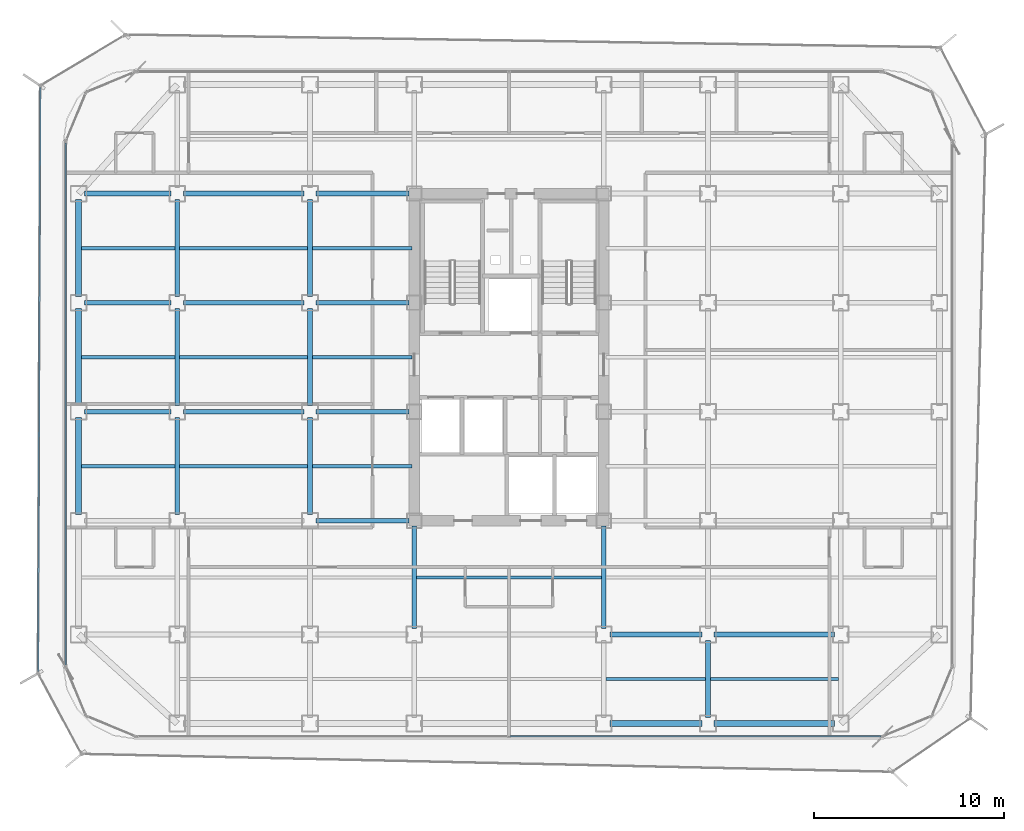
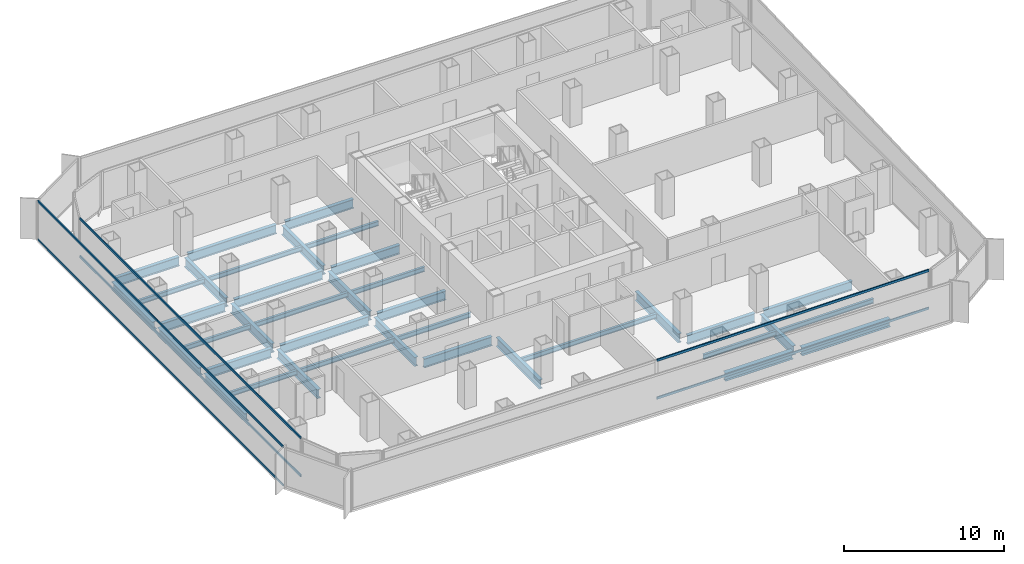
# One storey, part 5 of 21: 38 beams, 6 members, 3 elements without a shape of their own.
"""IFC4 building model written with IfcOpenShell, lengths in metres."""

from ifc_helpers import new_model, si_unit, direction, frame, origin, origin_2d, place, context, subcontext, project, spatial, hollow_rectangle, i_section, extrude, source, transform, mapped, material, layer, layer_set, material_profile, profile_set, type_object, element, aggregate, save


model = new_model("IFC4")

# Units and contexts
model_context = context("Model", 3, precision=1e-05, world=origin(), true_north=direction((0.0, 1.0)))
body_context = subcontext(model_context, "Body", "Model", "MODEL_VIEW")
ifc_project = project(units=[si_unit("LENGTHUNIT", "METRE"), si_unit("AREAUNIT", "SQUARE_METRE"), si_unit("VOLUMEUNIT", "CUBIC_METRE"), si_unit("PLANEANGLEUNIT", "RADIAN"), si_unit("MASSUNIT", "GRAM", prefix="KILO")], contexts=[model_context])

# Site, building, storey
site_placement = place(None, origin())
site = spatial("IfcSite", under=ifc_project, at=site_placement, CompositionType="ELEMENT")
building_placement = place(site_placement, origin())
building = spatial("IfcBuilding", under=site, at=building_placement, Name="Kolveth Station Tower", CompositionType="ELEMENT")
storey_placement = place(building_placement, frame((0.0, 0.0, 134.300048828125)))
storey = spatial("IfcBuildingStorey", under=building, at=storey_placement, Name="L37", CompositionType="ELEMENT", Elevation=134.300048828125)

# Beams
ifc_material_1 = material(Name="Steel S355", Category="steel")
ifc_material_profile_1 = material_profile(ifc_material_1, i_section(OverallWidth=0.323974609375, OverallDepth=0.611083984375, WebThickness=0.0126953125, FlangeThickness=0.01904296875, at=origin_2d()), Name="W610x155")
ifc_profile_set_1 = profile_set([ifc_material_profile_1], Name="Steel S355")
beam_type_1 = type_object("IfcBeamType", Name="Beam_SP2", PredefinedType="SPANDREL", material=ifc_profile_set_1)
shared_shape_1 = source(origin(), body_context, "Body", "SweptSolid", [
    extrude(i_section(OverallWidth=0.323974609375, OverallDepth=0.611083984375, WebThickness=0.0126953125, FlangeThickness=0.01904296875, at=origin_2d()), origin(), (0.0, 0.0, 1.0), 6.35986328125),
])
beam_1_placement = place(storey_placement, frame((34.320068359375, 0.800048828125, -0.5556640625), z_axis=(1.0, 0.0, 0.0), x_axis=(0.0, 1.0, 0.0)))
element("IfcBeam", 1, at=beam_1_placement, inside=storey, type_object=beam_type_1, Name="L37 Perimeter Spandrel BM-L37-PS-5", PredefinedType="SPANDREL", context=body_context, shape_type="MappedRepresentation", body=[
    mapped(shared_shape_1, transform((0.0, 0.0, 0.0), x_axis=(1.0, 0.0, 0.0), y_axis=(0.0, 1.0, 0.0), z_axis=(0.0, 0.0, 1.0), scale=1.0)),
])
shared_shape_2 = source(origin(), body_context, "Body", "SweptSolid", [
    extrude(i_section(OverallWidth=0.323974609375, OverallDepth=0.611083984375, WebThickness=0.0126953125, FlangeThickness=0.01904296875, at=origin_2d()), origin(), (0.0, 0.0, 1.0), 4.85986328125),
])
beam_2_placement = place(storey_placement, frame((28.820068359375, 0.800048828125, -0.5556640625), z_axis=(1.0, 0.0, 0.0), x_axis=(0.0, 1.0, 0.0)))
element("IfcBeam", 2, at=beam_2_placement, inside=storey, type_object=beam_type_1, Name="L37 Perimeter Spandrel BM-L37-PS-4", PredefinedType="SPANDREL", context=body_context, shape_type="MappedRepresentation", body=[
    mapped(shared_shape_2, transform((0.0, 0.0, 0.0), x_axis=(1.0, 0.0, 0.0), y_axis=(0.0, 1.0, 0.0), z_axis=(0.0, 0.0, 1.0), scale=1.0)),
])
shared_shape_3 = source(origin(), body_context, "Body", "SweptSolid", [
    extrude(i_section(OverallWidth=0.323974609375, OverallDepth=0.611083984375, WebThickness=0.0126953125, FlangeThickness=0.01904296875, at=origin_2d()), origin(), (0.0, 0.0, 1.0), 5.10986328125),
])
for number, where, z_axis, x_axis, name in (
    (3, (0.800048828125, 11.820068359375, -0.5556640625), (0.0, 1.0, 0.0), (-1.0, 0.0, 0.0), "L37 Perimeter Spandrel BM-L37-PW-2"),
    (4, (0.800048828125, 17.570068359375, -0.5556640625), (0.0, 1.0, 0.0), (-1.0, 0.0, 0.0), "L37 Perimeter Spandrel BM-L37-PW-3"),
    (5, (0.800048828125, 23.320068359375, -0.5556640625), (0.0, 1.0, 0.0), (-1.0, 0.0, 0.0), "L37 Perimeter Spandrel BM-L37-PW-4"),
):
    element("IfcBeam", number, at=place(storey_placement, frame(where, z_axis=z_axis, x_axis=x_axis)), inside=storey, type_object=beam_type_1, Name=name, PredefinedType="SPANDREL", context=body_context, shape_type="MappedRepresentation", body=[
        mapped(shared_shape_3, transform((0.0, 0.0, 0.0), x_axis=(1.0, 0.0, 0.0), y_axis=(0.0, 1.0, 0.0), z_axis=(0.0, 0.0, 1.0), scale=1.0)),
    ])
ifc_material_profile_2 = material_profile(ifc_material_1, i_section(OverallWidth=0.25390625, OverallDepth=0.68798828125, WebThickness=0.01318359375, FlangeThickness=0.02099609375, at=origin_2d()), Name="W690x152")
ifc_profile_set_2 = profile_set([ifc_material_profile_2], Name="Steel S355")
beam_type_2 = type_object("IfcBeamType", Name="Beam_B4", PredefinedType="BEAM", material=ifc_profile_set_2)
shared_shape_4 = source(origin(), body_context, "Body", "SweptSolid", [
    extrude(i_section(OverallWidth=0.25390625, OverallDepth=0.68798828125, WebThickness=0.01318359375, FlangeThickness=0.02099609375, at=origin_2d()), origin(), (0.0, 0.0, 1.0), 4.559814453125),
])
for number, where, z_axis, x_axis, name in (
    (6, (1.1201171875, 17.25, -0.593994140625), (1.0, 0.0, 0.0), (0.0, 1.0, 0.0), "L37 Primary Girder BM-L37-GY172-1"),
    (7, (1.1201171875, 23.0, -0.593994140625), (1.0, 0.0, 0.0), (0.0, 1.0, 0.0), "L37 Primary Girder BM-L37-GY230-1"),
    (8, (1.1201171875, 28.75, -0.593994140625), (1.0, 0.0, 0.0), (0.0, 1.0, 0.0), "L37 Primary Girder BM-L37-GY287-1"),
):
    element("IfcBeam", number, at=place(storey_placement, frame(where, z_axis=z_axis, x_axis=x_axis)), inside=storey, type_object=beam_type_2, Name=name, PredefinedType="BEAM", context=body_context, shape_type="MappedRepresentation", body=[
        mapped(shared_shape_4, transform((0.0, 0.0, 0.0), x_axis=(1.0, 0.0, 0.0), y_axis=(0.0, 1.0, 0.0), z_axis=(0.0, 0.0, 1.0), scale=1.0)),
    ])
shared_shape_5 = source(origin(), body_context, "Body", "SweptSolid", [
    extrude(i_section(OverallWidth=0.25390625, OverallDepth=0.68798828125, WebThickness=0.01318359375, FlangeThickness=0.02099609375, at=origin_2d()), origin(), (0.0, 0.0, 1.0), 6.35986328125),
])
for number, where, z_axis, x_axis, name in (
    (9, (34.320068359375, 5.5, -0.593994140625), (1.0, 0.0, 0.0), (0.0, 1.0, 0.0), "L37 Primary Girder BM-L37-GY55-6"),
    (10, (6.320068359375, 17.25, -0.593994140625), (1.0, 0.0, 0.0), (0.0, 1.0, 0.0), "L37 Primary Girder BM-L37-GY172-2"),
    (11, (6.320068359375, 23.0, -0.593994140625), (1.0, 0.0, 0.0), (0.0, 1.0, 0.0), "L37 Primary Girder BM-L37-GY230-2"),
    (12, (6.320068359375, 28.75, -0.593994140625), (1.0, 0.0, 0.0), (0.0, 1.0, 0.0), "L37 Primary Girder BM-L37-GY287-2"),
):
    element("IfcBeam", number, at=place(storey_placement, frame(where, z_axis=z_axis, x_axis=x_axis)), inside=storey, type_object=beam_type_2, Name=name, PredefinedType="BEAM", context=body_context, shape_type="MappedRepresentation", body=[
        mapped(shared_shape_5, transform((0.0, 0.0, 0.0), x_axis=(1.0, 0.0, 0.0), y_axis=(0.0, 1.0, 0.0), z_axis=(0.0, 0.0, 1.0), scale=1.0)),
    ])
shared_shape_6 = source(origin(), body_context, "Body", "SweptSolid", [
    extrude(i_section(OverallWidth=0.25390625, OverallDepth=0.68798828125, WebThickness=0.01318359375, FlangeThickness=0.02099609375, at=origin_2d()), origin(), (0.0, 0.0, 1.0), 4.85986328125),
])
beam_3_placement = place(storey_placement, frame((28.820068359375, 5.5, -0.593994140625), z_axis=(1.0, 0.0, 0.0), x_axis=(0.0, 1.0, 0.0)))
element("IfcBeam", 13, at=beam_3_placement, inside=storey, type_object=beam_type_2, Name="L37 Primary Girder BM-L37-GY55-5", PredefinedType="BEAM", context=body_context, shape_type="MappedRepresentation", body=[
    mapped(shared_shape_6, transform((0.0, 0.0, 0.0), x_axis=(1.0, 0.0, 0.0), y_axis=(0.0, 1.0, 0.0), z_axis=(0.0, 0.0, 1.0), scale=1.0)),
])
shared_shape_7 = source(origin(), body_context, "Body", "SweptSolid", [
    extrude(i_section(OverallWidth=0.25390625, OverallDepth=0.68798828125, WebThickness=0.01318359375, FlangeThickness=0.02099609375, at=origin_2d()), origin(), (0.0, 0.0, 1.0), 4.89990234375),
])
for number, where, z_axis, x_axis, name in (
    (14, (13.320068359375, 11.5, -0.593994140625), (1.0, 0.0, 0.0), (0.0, 1.0, 0.0), "L37 Primary Girder BM-L37-GY115-3"),
    (15, (13.320068359375, 17.25, -0.593994140625), (1.0, 0.0, 0.0), (0.0, 1.0, 0.0), "L37 Primary Girder BM-L37-GY172-3"),
    (16, (13.320068359375, 23.0, -0.593994140625), (1.0, 0.0, 0.0), (0.0, 1.0, 0.0), "L37 Primary Girder BM-L37-GY230-3"),
    (17, (13.320068359375, 28.75, -0.593994140625), (1.0, 0.0, 0.0), (0.0, 1.0, 0.0), "L37 Primary Girder BM-L37-GY287-3"),
):
    element("IfcBeam", number, at=place(storey_placement, frame(where, z_axis=z_axis, x_axis=x_axis)), inside=storey, type_object=beam_type_2, Name=name, PredefinedType="BEAM", context=body_context, shape_type="MappedRepresentation", body=[
        mapped(shared_shape_7, transform((0.0, 0.0, 0.0), x_axis=(1.0, 0.0, 0.0), y_axis=(0.0, 1.0, 0.0), z_axis=(0.0, 0.0, 1.0), scale=1.0)),
    ])
shared_shape_8 = source(origin(), body_context, "Body", "SweptSolid", [
    extrude(i_section(OverallWidth=0.25390625, OverallDepth=0.68798828125, WebThickness=0.01318359375, FlangeThickness=0.02099609375, at=origin_2d()), origin(), (0.0, 0.0, 1.0), 4.059814453125),
])
beam_4_placement = place(storey_placement, frame((34.0, 1.1201171875, -0.593994140625), z_axis=(0.0, 1.0, 0.0), x_axis=(-1.0, 0.0, 0.0)))
element("IfcBeam", 18, at=beam_4_placement, inside=storey, type_object=beam_type_2, Name="L37 Primary Girder BM-L37-GX340-1", PredefinedType="BEAM", context=body_context, shape_type="MappedRepresentation", body=[
    mapped(shared_shape_8, transform((0.0, 0.0, 0.0), x_axis=(1.0, 0.0, 0.0), y_axis=(0.0, 1.0, 0.0), z_axis=(0.0, 0.0, 1.0), scale=1.0)),
])
shared_shape_9 = source(origin(), body_context, "Body", "SweptSolid", [
    extrude(i_section(OverallWidth=0.25390625, OverallDepth=0.68798828125, WebThickness=0.01318359375, FlangeThickness=0.02099609375, at=origin_2d()), origin(), (0.0, 0.0, 1.0), 5.10986328125),
])
for number, where, z_axis, x_axis, name in (
    (19, (6.0, 11.820068359375, -0.593994140625), (0.0, 1.0, 0.0), (-1.0, 0.0, 0.0), "L37 Primary Girder BM-L37-GX60-3"),
    (20, (6.0, 17.570068359375, -0.593994140625), (0.0, 1.0, 0.0), (-1.0, 0.0, 0.0), "L37 Primary Girder BM-L37-GX60-4"),
    (21, (6.0, 23.320068359375, -0.593994140625), (0.0, 1.0, 0.0), (-1.0, 0.0, 0.0), "L37 Primary Girder BM-L37-GX60-5"),
    (22, (13.0, 11.820068359375, -0.593994140625), (0.0, 1.0, 0.0), (-1.0, 0.0, 0.0), "L37 Primary Girder BM-L37-GX130-3"),
    (23, (13.0, 17.570068359375, -0.593994140625), (0.0, 1.0, 0.0), (-1.0, 0.0, 0.0), "L37 Primary Girder BM-L37-GX130-4"),
    (24, (13.0, 23.320068359375, -0.593994140625), (0.0, 1.0, 0.0), (-1.0, 0.0, 0.0), "L37 Primary Girder BM-L37-GX130-5"),
):
    element("IfcBeam", number, at=place(storey_placement, frame(where, z_axis=z_axis, x_axis=x_axis)), inside=storey, type_object=beam_type_2, Name=name, PredefinedType="BEAM", context=body_context, shape_type="MappedRepresentation", body=[
        mapped(shared_shape_9, transform((0.0, 0.0, 0.0), x_axis=(1.0, 0.0, 0.0), y_axis=(0.0, 1.0, 0.0), z_axis=(0.0, 0.0, 1.0), scale=1.0)),
    ])
shared_shape_10 = source(origin(), body_context, "Body", "SweptSolid", [
    extrude(i_section(OverallWidth=0.25390625, OverallDepth=0.68798828125, WebThickness=0.01318359375, FlangeThickness=0.02099609375, at=origin_2d()), origin(), (0.0, 0.0, 1.0), 5.39990234375),
])
for number, where, z_axis, x_axis, name in (
    (25, (18.5, 5.820068359375, -0.593994140625), (0.0, 1.0, 0.0), (-1.0, 0.0, 0.0), "L37 Primary Girder BM-L37-GX185-2"),
    (26, (28.5, 5.820068359375, -0.593994140625), (0.0, 1.0, 0.0), (-1.0, 0.0, 0.0), "L37 Primary Girder BM-L37-GX285-2"),
):
    element("IfcBeam", number, at=place(storey_placement, frame(where, z_axis=z_axis, x_axis=x_axis)), inside=storey, type_object=beam_type_2, Name=name, PredefinedType="BEAM", context=body_context, shape_type="MappedRepresentation", body=[
        mapped(shared_shape_10, transform((0.0, 0.0, 0.0), x_axis=(1.0, 0.0, 0.0), y_axis=(0.0, 1.0, 0.0), z_axis=(0.0, 0.0, 1.0), scale=1.0)),
    ])
ifc_material_profile_3 = material_profile(ifc_material_1, i_section(OverallWidth=0.1708984375, OverallDepth=0.35205078125, WebThickness=0.0068359375, FlangeThickness=0.009765625, at=origin_2d()), Name="W360x44")
ifc_profile_set_3 = profile_set([ifc_material_profile_3], Name="Steel S355")
beam_type_3 = type_object("IfcBeamType", Name="Beam_J2", PredefinedType="JOIST", material=ifc_profile_set_3)
shared_shape_11 = source(origin(), body_context, "Body", "SweptSolid", [
    extrude(i_section(OverallWidth=0.1708984375, OverallDepth=0.35205078125, WebThickness=0.0068359375, FlangeThickness=0.009765625, at=origin_2d()), origin(), (0.0, 0.0, 1.0), 4.9150390625),
])
for number, where, z_axis, x_axis, name in (
    (27, (0.9599609375, 14.375, -0.426025390625), (1.0, 0.0, 0.0), (0.0, 1.0, 0.0), "L37 Secondary Joist JST-L37-1-3"),
    (28, (0.9599609375, 20.125, -0.426025390625), (1.0, 0.0, 0.0), (0.0, 1.0, 0.0), "L37 Secondary Joist JST-L37-1-4"),
    (29, (0.9599609375, 25.875, -0.426025390625), (1.0, 0.0, 0.0), (0.0, 1.0, 0.0), "L37 Secondary Joist JST-L37-1-5"),
):
    element("IfcBeam", number, at=place(storey_placement, frame(where, z_axis=z_axis, x_axis=x_axis)), inside=storey, type_object=beam_type_3, Name=name, PredefinedType="JOIST", context=body_context, shape_type="MappedRepresentation", body=[
        mapped(shared_shape_11, transform((0.0, 0.0, 0.0), x_axis=(1.0, 0.0, 0.0), y_axis=(0.0, 1.0, 0.0), z_axis=(0.0, 0.0, 1.0), scale=1.0)),
    ])
shared_shape_12 = source(origin(), body_context, "Body", "SweptSolid", [
    extrude(i_section(OverallWidth=0.1708984375, OverallDepth=0.35205078125, WebThickness=0.0068359375, FlangeThickness=0.009765625, at=origin_2d()), origin(), (0.0, 0.0, 1.0), 6.75),
])
for number, where, z_axis, x_axis, name in (
    (30, (6.125, 14.375, -0.426025390625), (1.0, 0.0, 0.0), (0.0, 1.0, 0.0), "L37 Secondary Joist JST-L37-2-3"),
    (31, (6.125, 20.125, -0.426025390625), (1.0, 0.0, 0.0), (0.0, 1.0, 0.0), "L37 Secondary Joist JST-L37-2-4"),
    (32, (6.125, 25.875, -0.426025390625), (1.0, 0.0, 0.0), (0.0, 1.0, 0.0), "L37 Secondary Joist JST-L37-2-5"),
    (33, (34.125, 3.14990234375, -0.426025390625), (1.0, 0.0, 0.0), (0.0, 1.0, 0.0), "L37 Secondary Joist JST-L37-6-1"),
):
    element("IfcBeam", number, at=place(storey_placement, frame(where, z_axis=z_axis, x_axis=x_axis)), inside=storey, type_object=beam_type_3, Name=name, PredefinedType="JOIST", context=body_context, shape_type="MappedRepresentation", body=[
        mapped(shared_shape_12, transform((0.0, 0.0, 0.0), x_axis=(1.0, 0.0, 0.0), y_axis=(0.0, 1.0, 0.0), z_axis=(0.0, 0.0, 1.0), scale=1.0)),
    ])
shared_shape_13 = source(origin(), body_context, "Body", "SweptSolid", [
    extrude(i_section(OverallWidth=0.1708984375, OverallDepth=0.35205078125, WebThickness=0.0068359375, FlangeThickness=0.009765625, at=origin_2d()), origin(), (0.0, 0.0, 1.0), 5.25),
])
for number, where, z_axis, x_axis, name in (
    (34, (13.125, 14.375, -0.426025390625), (1.0, 0.0, 0.0), (0.0, 1.0, 0.0), "L37 Secondary Joist JST-L37-3-3"),
    (35, (13.125, 20.125, -0.426025390625), (1.0, 0.0, 0.0), (0.0, 1.0, 0.0), "L37 Secondary Joist JST-L37-3-4"),
    (36, (13.125, 25.875, -0.426025390625), (1.0, 0.0, 0.0), (0.0, 1.0, 0.0), "L37 Secondary Joist JST-L37-3-5"),
    (37, (28.625, 3.14990234375, -0.426025390625), (1.0, 0.0, 0.0), (0.0, 1.0, 0.0), "L37 Secondary Joist JST-L37-5-1"),
):
    element("IfcBeam", number, at=place(storey_placement, frame(where, z_axis=z_axis, x_axis=x_axis)), inside=storey, type_object=beam_type_3, Name=name, PredefinedType="JOIST", context=body_context, shape_type="MappedRepresentation", body=[
        mapped(shared_shape_13, transform((0.0, 0.0, 0.0), x_axis=(1.0, 0.0, 0.0), y_axis=(0.0, 1.0, 0.0), z_axis=(0.0, 0.0, 1.0), scale=1.0)),
    ])
shared_shape_14 = source(origin(), body_context, "Body", "SweptSolid", [
    extrude(i_section(OverallWidth=0.1708984375, OverallDepth=0.35205078125, WebThickness=0.0068359375, FlangeThickness=0.009765625, at=origin_2d()), origin(), (0.0, 0.0, 1.0), 9.75),
])
beam_5_placement = place(storey_placement, frame((18.625, 8.5, -0.426025390625), z_axis=(1.0, 0.0, 0.0), x_axis=(0.0, 1.0, 0.0)))
element("IfcBeam", 38, at=beam_5_placement, inside=storey, type_object=beam_type_3, Name="L37 Secondary Joist JST-L37-4-2", PredefinedType="JOIST", context=body_context, shape_type="MappedRepresentation", body=[
    mapped(shared_shape_14, transform((0.0, 0.0, 0.0), x_axis=(1.0, 0.0, 0.0), y_axis=(0.0, 1.0, 0.0), z_axis=(0.0, 0.0, 1.0), scale=1.0)),
])

# Curtain wall, members
ifc_material_2 = material(Name="Aluminium 6063-T6 and low-E dark glass", Category="aluminium")
ifc_layer_1 = layer(ifc_material_2, 0.18994140625)
ifc_layer_set_1 = layer_set([ifc_layer_1], Name="Aluminium 6063-T6 and low-E dark glass")
curtain_wall_type_1 = type_object("IfcCurtainWallType", Name="CurtainWall_CW-Z2", PredefinedType="NOTDEFINED", material=ifc_layer_set_1)
curtain_wall_1_placement = place(storey_placement, origin())
curtain_wall_1 = element("IfcCurtainWall", 39, at=curtain_wall_1_placement, inside=storey, type_object=curtain_wall_type_1, Name="L37 Inner Thermal Curtain Wall 9", PredefinedType="NOTDEFINED")
ifc_material_3 = material(Name="Black anodized aluminium 6063-T6", Category="aluminium")
ifc_material_profile_4 = material_profile(ifc_material_3, hollow_rectangle(XDim=0.080078125, YDim=0.169921875, WallThickness=0.0048828125, at=origin_2d()), Name="ALU-80x170x5")
ifc_profile_set_4 = profile_set([ifc_material_profile_4], Name="Black anodized aluminium 6063-T6")
member_type_1 = type_object("IfcMemberType", Name="Transom_TR2", PredefinedType="USERDEFINED", material=ifc_profile_set_4)
shared_shape_15 = source(origin(), body_context, "Body", "SweptSolid", [
    extrude(hollow_rectangle(XDim=0.080078125, YDim=0.169921875, WallThickness=0.0048828125, at=origin_2d()), origin(), (0.0, 0.0, 1.0), 27.5400390625),
])
member_1_placement = place(storey_placement, frame((0.1201171875, 31.419921875, 0.0400390625), z_axis=(0.0, -1.0, 0.0), x_axis=(1.0, 0.0, 0.0)))
member_1 = element("IfcMember", 40, at=member_1_placement, type_object=member_type_1, Name="CW-Z2 transom 1.1", ObjectType="TRANSOM", PredefinedType="USERDEFINED", context=body_context, shape_type="MappedRepresentation", body=[
    mapped(shared_shape_15, transform((0.0, 0.0, 0.0), x_axis=(1.0, 0.0, 0.0), y_axis=(0.0, 1.0, 0.0), z_axis=(0.0, 0.0, 1.0), scale=1.0)),
])
member_2_placement = place(storey_placement, frame((0.1201171875, 31.419921875, 2.909912109375), z_axis=(0.0, -1.0, 0.0), x_axis=(1.0, 0.0, 0.0)))
member_2 = element("IfcMember", 41, at=member_2_placement, type_object=member_type_1, Name="CW-Z2 transom 1.2", ObjectType="TRANSOM", PredefinedType="USERDEFINED", context=body_context, shape_type="MappedRepresentation", body=[
    mapped(shared_shape_15, transform((0.0, 0.0, 0.0), x_axis=(1.0, 0.0, 0.0), y_axis=(0.0, 1.0, 0.0), z_axis=(0.0, 0.0, 1.0), scale=1.0)),
])
aggregate(curtain_wall_1, [member_1, member_2])

curtain_wall_2_placement = place(storey_placement, origin())
curtain_wall_2 = element("IfcCurtainWall", 42, at=curtain_wall_2_placement, inside=storey, type_object=curtain_wall_type_1, Name="L37 Inner Thermal Curtain Wall 12", PredefinedType="NOTDEFINED")
shared_shape_16 = source(origin(), body_context, "Body", "SweptSolid", [
    extrude(hollow_rectangle(XDim=0.080078125, YDim=0.169921875, WallThickness=0.0048828125, at=origin_2d()), origin(), (0.0, 0.0, 1.0), 19.580078125),
])
member_3_placement = place(storey_placement, frame((23.5400390625, 0.1201171875, 0.0400390625), z_axis=(1.0, 0.0, 0.0), x_axis=(0.0, 1.0, 0.0)))
member_3 = element("IfcMember", 43, at=member_3_placement, type_object=member_type_1, Name="CW-Z2 transom 2.1", ObjectType="TRANSOM", PredefinedType="USERDEFINED", context=body_context, shape_type="MappedRepresentation", body=[
    mapped(shared_shape_16, transform((0.0, 0.0, 0.0), x_axis=(1.0, 0.0, 0.0), y_axis=(0.0, 1.0, 0.0), z_axis=(0.0, 0.0, 1.0), scale=1.0)),
])
member_4_placement = place(storey_placement, frame((23.5400390625, 0.1201171875, 2.909912109375), z_axis=(1.0, 0.0, 0.0), x_axis=(0.0, 1.0, 0.0)))
member_4 = element("IfcMember", 44, at=member_4_placement, type_object=member_type_1, Name="CW-Z2 transom 2.2", ObjectType="TRANSOM", PredefinedType="USERDEFINED", context=body_context, shape_type="MappedRepresentation", body=[
    mapped(shared_shape_16, transform((0.0, 0.0, 0.0), x_axis=(1.0, 0.0, 0.0), y_axis=(0.0, 1.0, 0.0), z_axis=(0.0, 0.0, 1.0), scale=1.0)),
])
aggregate(curtain_wall_2, [member_3, member_4])

ifc_material_4 = material(Name="Black anodized aluminium 6063-T6 and dark solar glass", Category="aluminium")
ifc_layer_2 = layer(ifc_material_4, 0.159912109375)
ifc_layer_set_2 = layer_set([ifc_layer_2], Name="Black anodized aluminium 6063-T6 and dark solar glass")
curtain_wall_type_2 = type_object("IfcCurtainWallType", Name="OUTER SKIN CW-OS", PredefinedType="NOTDEFINED", material=ifc_layer_set_2)
curtain_wall_3_placement = place(storey_placement, origin())
curtain_wall_3 = element("IfcCurtainWall", 45, at=curtain_wall_3_placement, inside=storey, type_object=curtain_wall_type_2, Name="L37 Outer Ventilated Skin Curtain Wall 6", PredefinedType="NOTDEFINED")
ifc_material_profile_5 = material_profile(ifc_material_3, hollow_rectangle(XDim=0.080078125, YDim=0.14990234375, WallThickness=0.0048828125, at=origin_2d()), Name="ALU-80x150x5")
ifc_profile_set_5 = profile_set([ifc_material_profile_5], Name="Black anodized aluminium 6063-T6")
member_type_2 = type_object("IfcMemberType", Name="Transom_TR-OS", PredefinedType="USERDEFINED", material=ifc_profile_set_5)
shared_shape_17 = source(origin(), body_context, "Body", "SweptSolid", [
    extrude(hollow_rectangle(XDim=0.080078125, YDim=0.14990234375, WallThickness=0.0048828125, at=origin_2d()), origin(), (0.0, 0.0, 1.0), 30.80615234375),
])
member_5_placement = place(storey_placement, frame((-1.223388671875, 34.347900390625, 0.0400390625), z_axis=(-0.003685157374, -0.999993209785, 0.0), x_axis=(0.999993209785, -0.003685157374, 0.0)))
member_5 = element("IfcMember", 46, at=member_5_placement, type_object=member_type_2, Name="CW-OS transom 1.1", ObjectType="TRANSOM", PredefinedType="USERDEFINED", context=body_context, shape_type="MappedRepresentation", body=[
    mapped(shared_shape_17, transform((0.0, 0.0, 0.0), x_axis=(1.0, 0.0, 0.0), y_axis=(0.0, 1.0, 0.0), z_axis=(0.0, 0.0, 1.0), scale=1.0)),
])
member_6_placement = place(storey_placement, frame((-1.223388671875, 34.347900390625, 2.949951171875), z_axis=(-0.003685157374, -0.999993209785, 0.0), x_axis=(0.999993209785, -0.003685157374, 0.0)))
member_6 = element("IfcMember", 47, at=member_6_placement, type_object=member_type_2, Name="CW-OS transom 1.2", ObjectType="TRANSOM", PredefinedType="USERDEFINED", context=body_context, shape_type="MappedRepresentation", body=[
    mapped(shared_shape_17, transform((0.0, 0.0, 0.0), x_axis=(1.0, 0.0, 0.0), y_axis=(0.0, 1.0, 0.0), z_axis=(0.0, 0.0, 1.0), scale=1.0)),
])
aggregate(curtain_wall_3, [member_5, member_6])

save(model, "model.ifc")
